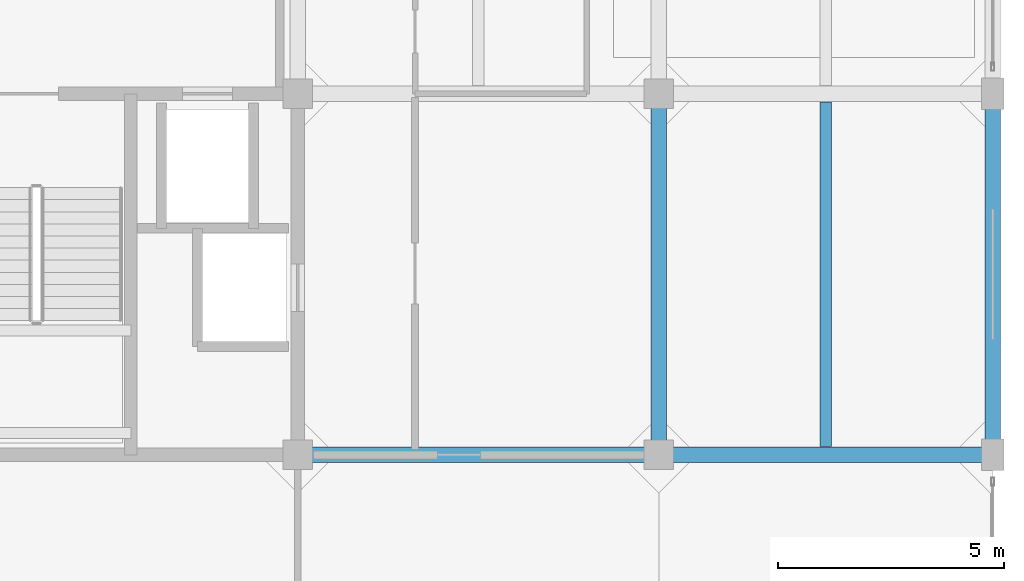
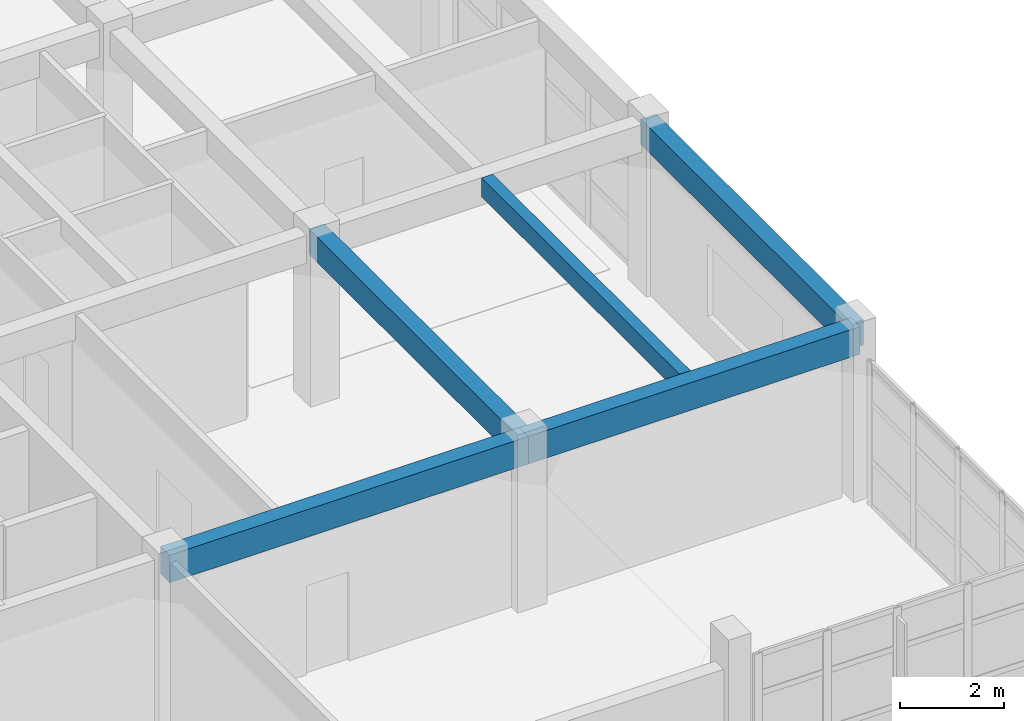
# One storey, part 6 of 18: 5 beams.
"""IFC4 building model written with IfcOpenShell, lengths in metres."""

from ifc_helpers import new_model, si_unit, direction, frame, origin, origin_2d, place, context, subcontext, project, spatial, rectangle, extrude, material, material_profile, profile_set, type_object, element, save


model = new_model("IFC4")

# Units and contexts
model_context = context("Model", 3, precision=1e-05, world=origin(), true_north=direction((0.0, 1.0)))
body_context = subcontext(model_context, "Body", "Model", "MODEL_VIEW")
ifc_project = project(units=[si_unit("LENGTHUNIT", "METRE"), si_unit("AREAUNIT", "SQUARE_METRE"), si_unit("VOLUMEUNIT", "CUBIC_METRE"), si_unit("PLANEANGLEUNIT", "RADIAN"), si_unit("MASSUNIT", "GRAM", prefix="KILO")], contexts=[model_context])

# Site, building, storey
site_placement = place(None, origin())
site = spatial("IfcSite", under=ifc_project, at=site_placement, CompositionType="ELEMENT")
building_placement = place(site_placement, origin())
building = spatial("IfcBuilding", under=site, at=building_placement, Name="Canggui Botanical Conservatory", CompositionType="ELEMENT")
storey_placement = place(building_placement, frame((0.0, 0.0, 52.800048828125)))
storey = spatial("IfcBuildingStorey", under=building, at=storey_placement, Name="L13", CompositionType="ELEMENT", Elevation=52.800048828125)

# Beams
ifc_material = material(Name="Concrete C35", Category="concrete")
ifc_material_profile_1 = material_profile(ifc_material, rectangle(XDim=0.25, YDim=0.449951171875, at=origin_2d()), Name="RB 250x450")
ifc_profile_set_1 = profile_set([ifc_material_profile_1], Name="Concrete C35")
beam_type_1 = type_object("IfcBeamType", Name="BM-JST05", PredefinedType="JOIST", material=ifc_profile_set_1)
beam_1_placement = place(storey_placement, frame((173.699951171875, 42.179931640625, 3.73486328125), z_axis=(0.0, 1.0, 0.0), x_axis=(-1.0, 0.0, 0.0)))
element("IfcBeam", 1, at=beam_1_placement, inside=storey, type_object=beam_type_1, Name="Secondary Floor Joist L13-4-1", PredefinedType="JOIST", context=body_context, shape_type="SweptSolid", body=[
    extrude(rectangle(XDim=0.25, YDim=0.449951171875, at=origin_2d()), origin(), (0.0, 0.0, 1.0), 7.64013671875),
])
ifc_material_profile_2 = material_profile(ifc_material, rectangle(XDim=0.35009765625, YDim=0.64990234375, at=origin_2d()), Name="RB 350x650")
ifc_profile_set_2 = profile_set([ifc_material_profile_2], Name="Concrete C35")
beam_type_2 = type_object("IfcBeamType", Name="BM-KL18", PredefinedType="BEAM", material=ifc_profile_set_2)
beam_2_placement = place(storey_placement, frame((162.0, 42.0, 3.635009765625), z_axis=(1.0, 0.0, 0.0), x_axis=(0.0, 1.0, 0.0)))
element("IfcBeam", 2, at=beam_2_placement, inside=storey, type_object=beam_type_2, Name="Frame Girder L13 Y42-3", PredefinedType="BEAM", context=body_context, shape_type="SweptSolid", body=[
    extrude(rectangle(XDim=0.35009765625, YDim=0.64990234375, at=origin_2d()), origin(), (0.0, 0.0, 1.0), 8.0),
])
beam_3_placement = place(storey_placement, frame((170.0, 42.0, 3.635009765625), z_axis=(1.0, 0.0, 0.0), x_axis=(0.0, 1.0, 0.0)))
element("IfcBeam", 3, at=beam_3_placement, inside=storey, type_object=beam_type_2, Name="Frame Girder L13 Y42-4", PredefinedType="BEAM", context=body_context, shape_type="SweptSolid", body=[
    extrude(rectangle(XDim=0.35009765625, YDim=0.64990234375, at=origin_2d()), origin(), (0.0, 0.0, 1.0), 7.39990234375),
])
ifc_material_profile_3 = material_profile(ifc_material, rectangle(XDim=0.35009765625, YDim=0.60009765625, at=origin_2d()), Name="RB 350x600")
ifc_profile_set_3 = profile_set([ifc_material_profile_3], Name="Concrete C35")
beam_type_3 = type_object("IfcBeamType", Name="BM-KL19", PredefinedType="BEAM", material=ifc_profile_set_3)
for number, where, z_axis, x_axis, name in (
    (4, (170.0, 42.0, 3.659912109375), (0.0, 1.0, 0.0), (-1.0, 0.0, 0.0), "Frame Girder L13 X170-1"),
    (5, (177.39990234375, 42.0, 3.659912109375), (0.0, 1.0, 0.0), (-1.0, 0.0, 0.0), "Frame Girder L13 X178-1"),
):
    element("IfcBeam", number, at=place(storey_placement, frame(where, z_axis=z_axis, x_axis=x_axis)), inside=storey, type_object=beam_type_3, Name=name, PredefinedType="BEAM", context=body_context, shape_type="SweptSolid", body=[
        extrude(rectangle(XDim=0.35009765625, YDim=0.60009765625, at=origin_2d()), origin(), (0.0, 0.0, 1.0), 8.0),
    ])

save(model, "model.ifc")
